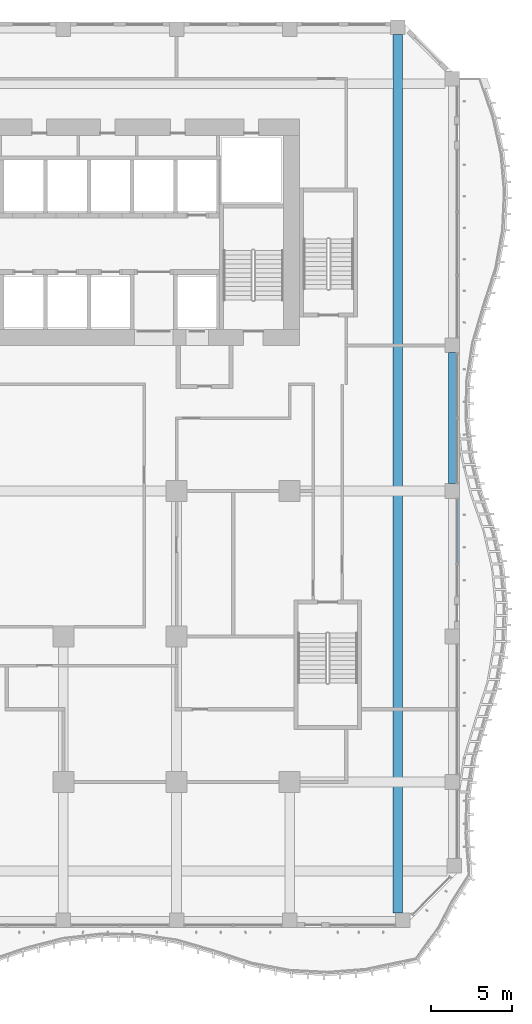
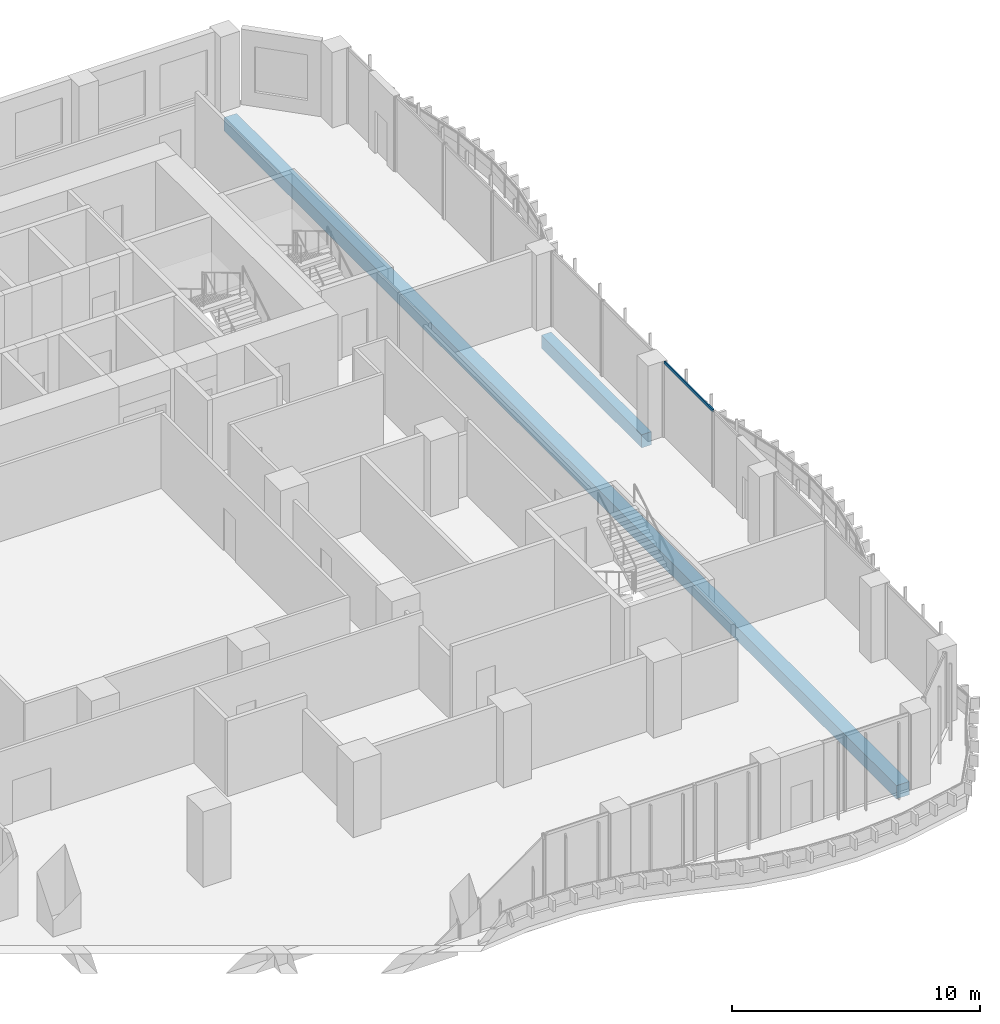
# One storey, part 5 of 24: 2 beams, 1 member, 1 element without a shape of its own.
"""IFC4 building model written with IfcOpenShell, lengths in metres."""

from ifc_helpers import new_model, si_unit, direction, frame, origin, origin_2d, place, context, subcontext, project, spatial, rectangle, extrude, source, transform, mapped, material, material_profile, profile_set, type_object, element, aggregate, save


model = new_model("IFC4")

# Units and contexts
model_context = context("Model", 3, precision=1e-05, world=origin(), true_north=direction((0.0, 1.0)))
body_context = subcontext(model_context, "Body", "Model", "MODEL_VIEW")
ifc_project = project(units=[si_unit("LENGTHUNIT", "METRE"), si_unit("AREAUNIT", "SQUARE_METRE"), si_unit("VOLUMEUNIT", "CUBIC_METRE"), si_unit("PLANEANGLEUNIT", "RADIAN"), si_unit("MASSUNIT", "GRAM", prefix="KILO")], contexts=[model_context])

# Site, building, storey
site_placement = place(None, origin())
site = spatial("IfcSite", under=ifc_project, at=site_placement, CompositionType="ELEMENT")
building_placement = place(site_placement, origin())
building = spatial("IfcBuilding", under=site, at=building_placement, Name="Kilnfold Tower and Market Hall", CompositionType="ELEMENT")
storey_placement = place(building_placement, frame((0.0, 0.0, 35.0)))
storey = spatial("IfcBuildingStorey", under=building, at=storey_placement, Name="L07", CompositionType="ELEMENT", Elevation=35.0)

# Beams
ifc_material_1 = material(Name="Concrete C45", Category="concrete")
ifc_material_profile_1 = material_profile(ifc_material_1, rectangle(XDim=0.60009765625, YDim=0.64990234375, at=origin_2d()), Name="RC 600x650")
ifc_profile_set_1 = profile_set([ifc_material_profile_1], Name="Concrete C45")
beam_type_1 = type_object("IfcBeamType", Name="BEAM 600X650 C45", PredefinedType="BEAM", material=ifc_profile_set_1)
shared_shape_1 = source(origin(), body_context, "Body", "SweptSolid", [
    extrude(rectangle(XDim=0.60009765625, YDim=0.64990234375, at=origin_2d()), origin(), (0.0, 0.0, 1.0), 54.331787109375),
])
beam_1_placement = place(storey_placement, frame((24.179931640625, -27.10009765625, -0.60498046875), z_axis=(0.0, 1.0, 0.0), x_axis=(-1.0, 0.0, 0.0)))
element("IfcBeam", 1, at=beam_1_placement, inside=storey, type_object=beam_type_1, Name="Beam BB650-B1.57", PredefinedType="BEAM", context=body_context, shape_type="MappedRepresentation", body=[
    mapped(shared_shape_1, transform((0.0, 0.0, 0.0))),
])
ifc_material_2 = material(Name="Concrete C45", Category="concrete")
ifc_material_profile_2 = material_profile(ifc_material_2, rectangle(XDim=0.449951171875, YDim=0.64990234375, at=origin_2d()), Name="RC 450x650")
ifc_profile_set_2 = profile_set([ifc_material_profile_2], Name="Concrete C45")
beam_type_2 = type_object("IfcBeamType", Name="EDGE BEAM 450X650 C45", PredefinedType="BEAM", material=ifc_profile_set_2)
shared_shape_2 = source(origin(), body_context, "Body", "SweptSolid", [
    extrude(rectangle(XDim=0.449951171875, YDim=0.64990234375, at=origin_2d()), origin(), (0.0, 0.0, 1.0), 8.10009765625),
])
beam_2_placement = place(storey_placement, frame((27.550048828125, -0.550048828125, -0.60498046875), z_axis=(0.0, 1.0, 0.0), x_axis=(-1.0, 0.0, 0.0)))
element("IfcBeam", 2, at=beam_2_placement, inside=storey, type_object=beam_type_2, Name="Beam EB650-B1.53", PredefinedType="BEAM", context=body_context, shape_type="MappedRepresentation", body=[
    mapped(shared_shape_2, transform((0.0, 0.0, 0.0))),
])

# Curtain wall, member
ifc_material_3 = material(Name="Aluminium and double glazing", Category="aluminium")
curtain_wall_type = type_object("IfcCurtainWallType", Name="CW OF1 VALLEY GLAZING", PredefinedType="NOTDEFINED", material=ifc_material_3)
curtain_wall_placement = place(storey_placement, origin())
curtain_wall = element("IfcCurtainWall", 3, at=curtain_wall_placement, inside=storey, type_object=curtain_wall_type, Name="Curtain wall CW1 L07 E", PredefinedType="NOTDEFINED")
ifc_material_4 = material(Name="Aluminium", Category="aluminium")
ifc_material_profile_3 = material_profile(ifc_material_4, rectangle(XDim=0.06005859375, YDim=0.139892578125, at=origin_2d()), Name="TRANSOM 60x140")
ifc_profile_set_3 = profile_set([ifc_material_profile_3], Name="Aluminium")
member_type = type_object("IfcMemberType", Name="TRANSOM 60X140", PredefinedType="USERDEFINED", material=ifc_profile_set_3)
shared_shape_3 = source(origin(), body_context, "Body", "SweptSolid", [
    extrude(rectangle(XDim=0.06005859375, YDim=0.139892578125, at=origin_2d()), origin(), (0.0, 0.0, 1.0), 3.929931640625),
])
member_placement = place(storey_placement, frame((27.85009765625, -5.43994140625, 3.68994140625), z_axis=(0.0, 1.0, 0.0), x_axis=(-1.0, 0.0, 0.0)))
member = element("IfcMember", 4, at=member_placement, type_object=member_type, Name="CW1 transom 1.2", ObjectType="TRANSOM", PredefinedType="USERDEFINED", context=body_context, shape_type="MappedRepresentation", body=[
    mapped(shared_shape_3, transform((0.0, 0.0, 0.0))),
])
aggregate(curtain_wall, [member])

save(model, "model.ifc")
